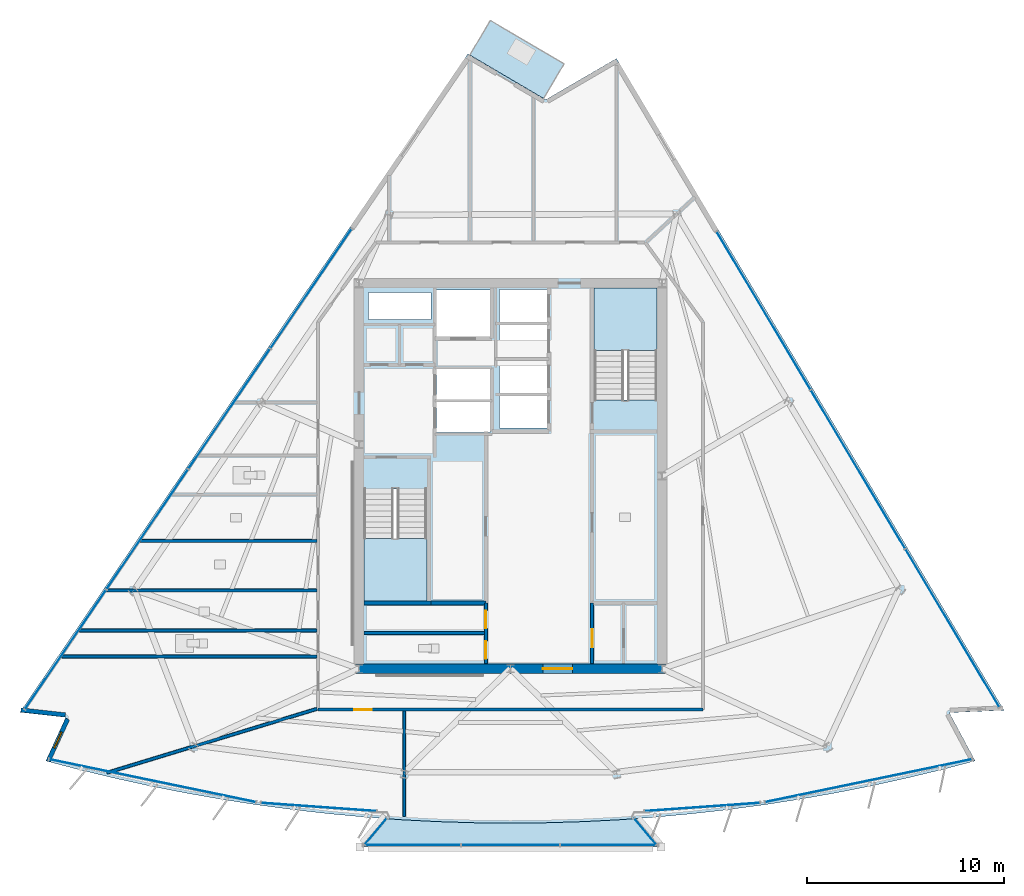
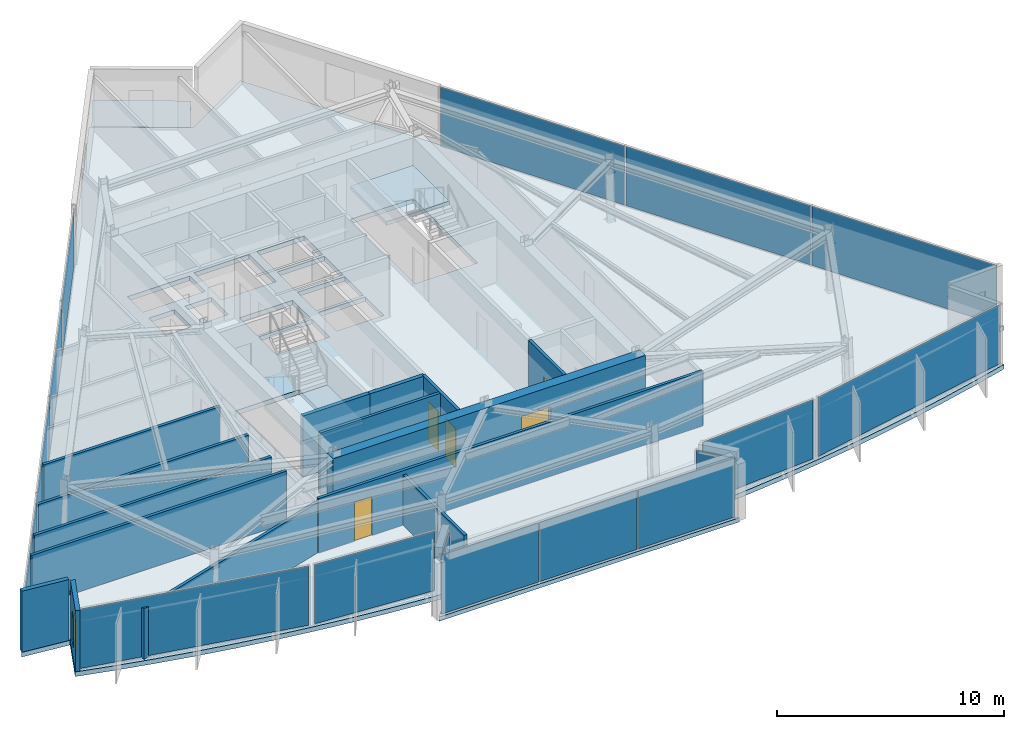
# One storey, part 7 of 14: 16 plates, 15 walls, 5 doors, 5 slabs, 1 window, 6 openings, 11 elements without a shape of their own.
"""IFC4 building model written with IfcOpenShell, lengths in metres."""

from ifc_helpers import new_model, si_unit, direction, frame, frame_2d, origin, origin_2d, place, context, subcontext, project, spatial, polyline, rectangle, outline, extrude, material, layer, layer_set, type_object, element, fill, aggregate, save


model = new_model("IFC4")

# Units and contexts
model_context = context("Model", 3, precision=1e-05, world=origin(), true_north=direction((0.0, 1.0)))
body_context = subcontext(model_context, "Body", "Model", "MODEL_VIEW")
ifc_project = project(units=[si_unit("LENGTHUNIT", "METRE"), si_unit("AREAUNIT", "SQUARE_METRE"), si_unit("VOLUMEUNIT", "CUBIC_METRE"), si_unit("PLANEANGLEUNIT", "RADIAN"), si_unit("MASSUNIT", "GRAM", prefix="KILO")], contexts=[model_context])

# Site, building, storey
site_placement = place(None, origin())
site = spatial("IfcSite", under=ifc_project, at=site_placement, CompositionType="ELEMENT")
building_placement = place(site_placement, origin())
building = spatial("IfcBuilding", under=site, at=building_placement, Name="Savorim Split Tower", CompositionType="ELEMENT")
storey_placement = place(building_placement, frame((0.0, 0.0, 237.89990234375)))
storey = spatial("IfcBuildingStorey", under=building, at=storey_placement, Name="L63", CompositionType="ELEMENT", Elevation=237.89990234375)

# Curtain wall, plate
ifc_material_1 = material(Name="Dark Ceramic-Fritted Insulated Glass", Category="glass")
curtain_wall_type_1 = type_object("IfcCurtainWallType", Name="CW-TWR-FRIT-B", PredefinedType="NOTDEFINED", material=ifc_material_1)
curtain_wall_1_placement = place(storey_placement, origin())
curtain_wall_1 = element("IfcCurtainWall", 1, at=curtain_wall_1_placement, inside=storey, type_object=curtain_wall_type_1, Name="L63 Curtain Wall CW-L63-SF1A", PredefinedType="NOTDEFINED")
ifc_layer_1 = layer(ifc_material_1, 0.02587890625)
ifc_layer_set_1 = layer_set([ifc_layer_1], Name="CWP-FRITB-26")
plate_type_1 = type_object("IfcPlateType", Name="CWP-FRITB-26", PredefinedType="CURTAIN_PANEL", material=ifc_layer_set_1)
plate_1_placement = place(storey_placement, frame((-18.205322265625, -15.09423828125, 0.05029296875), z_axis=(0.0, 0.0, 1.0), x_axis=(0.979134184169, -0.203214786352, 0.0)))
plate_1 = element("IfcPlate", 2, at=plate_1_placement, type_object=plate_type_1, Name="CW-03 panel 1.1", PredefinedType="CURTAIN_PANEL", context=body_context, shape_type="SweptSolid", body=[
    extrude(rectangle(XDim=10.70849609375, YDim=0.02587890625, at=origin_2d()), origin(), (0.0, 0.0, 1.0), 3.179931640625),
])
aggregate(curtain_wall_1, [plate_1])

curtain_wall_2_placement = place(storey_placement, origin())
curtain_wall_2 = element("IfcCurtainWall", 3, at=curtain_wall_2_placement, inside=storey, type_object=curtain_wall_type_1, Name="L63 Curtain Wall CW-L63-SF2A", PredefinedType="NOTDEFINED")
plate_2_placement = place(storey_placement, frame((-9.7470703125, -16.433349609375, 0.05029296875), z_axis=(0.0, 0.0, 1.0), x_axis=(0.997436443549, -0.071557956097, 0.0)))
plate_2 = element("IfcPlate", 4, at=plate_2_placement, type_object=plate_type_1, Name="CW-03 panel 1.1", PredefinedType="CURTAIN_PANEL", context=body_context, shape_type="SweptSolid", body=[
    extrude(rectangle(XDim=5.845703125, YDim=0.02587890625, at=origin_2d()), origin(), (0.0, 0.0, 1.0), 3.179931640625),
])
aggregate(curtain_wall_2, [plate_2])

curtain_wall_3_placement = place(storey_placement, origin())
curtain_wall_3 = element("IfcCurtainWall", 5, at=curtain_wall_3_placement, inside=storey, type_object=curtain_wall_type_1, Name="L63 Curtain Wall CW-L63-SF3A", PredefinedType="NOTDEFINED")
plate_3_placement = place(storey_placement, frame((9.7470703125, -16.433349609375, 0.05029296875), z_axis=(0.0, 0.0, 1.0), x_axis=(0.997436443549, 0.071557956097, 0.0)))
plate_3 = element("IfcPlate", 6, at=plate_3_placement, type_object=plate_type_1, Name="CW-03 panel 1.1", PredefinedType="CURTAIN_PANEL", context=body_context, shape_type="SweptSolid", body=[
    extrude(rectangle(XDim=5.845703125, YDim=0.02587890625, at=origin_2d()), origin(), (0.0, 0.0, 1.0), 3.179931640625),
])
aggregate(curtain_wall_3, [plate_3])

curtain_wall_4_placement = place(storey_placement, origin())
curtain_wall_4 = element("IfcCurtainWall", 7, at=curtain_wall_4_placement, inside=storey, type_object=curtain_wall_type_1, Name="L63 Curtain Wall CW-L63-SF4A", PredefinedType="NOTDEFINED")
plate_4_placement = place(storey_placement, frame((18.205322265625, -15.09423828125, 0.05029296875), z_axis=(0.0, 0.0, 1.0), x_axis=(0.979134184169, 0.203214786352, 0.0)))
plate_4 = element("IfcPlate", 8, at=plate_4_placement, type_object=plate_type_1, Name="CW-03 panel 1.1", PredefinedType="CURTAIN_PANEL", context=body_context, shape_type="SweptSolid", body=[
    extrude(rectangle(XDim=10.70849609375, YDim=0.02587890625, at=origin_2d()), origin(), (0.0, 0.0, 1.0), 3.179931640625),
])
aggregate(curtain_wall_4, [plate_4])

# Curtain wall, plates
curtain_wall_5_placement = place(storey_placement, origin())
curtain_wall_5 = element("IfcCurtainWall", 9, at=curtain_wall_5_placement, inside=storey, type_object=curtain_wall_type_1, Name="L63 Curtain Wall CW-L63-EAST", PredefinedType="NOTDEFINED")
plate_5_placement = place(storey_placement, frame((22.467041015625, -7.335205078125, 0.05029296875), z_axis=(0.0, 0.0, 1.0), x_axis=(-0.51109620442, 0.859523513249, 0.0)))
plate_5 = element("IfcPlate", 10, at=plate_5_placement, type_object=plate_type_1, Name="CW-03 panel 1.1", PredefinedType="CURTAIN_PANEL", context=body_context, shape_type="SweptSolid", body=[
    extrude(rectangle(XDim=9.3125, YDim=0.02587890625, at=origin_2d()), origin(), (0.0, 0.0, 1.0), 3.179931640625),
])
plate_6_placement = place(storey_placement, frame((17.669189453125, 0.733642578125, 0.05029296875), z_axis=(0.0, 0.0, 1.0), x_axis=(-0.51109620442, 0.859523513249, 0.0)))
plate_6 = element("IfcPlate", 11, at=plate_6_placement, type_object=plate_type_1, Name="CW-03 panel 2.1", PredefinedType="CURTAIN_PANEL", context=body_context, shape_type="SweptSolid", body=[
    extrude(rectangle(XDim=9.342529296875, YDim=0.02587890625, at=origin_2d()), origin(), (0.0, 0.0, 1.0), 3.179931640625),
])
plate_7_placement = place(storey_placement, frame((12.871337890625, 8.802490234375, 0.05029296875), z_axis=(0.0, 0.0, 1.0), x_axis=(-0.51109620442, 0.859523513249, 0.0)))
plate_7 = element("IfcPlate", 12, at=plate_7_placement, type_object=plate_type_1, Name="CW-03 panel 3.1", PredefinedType="CURTAIN_PANEL", context=body_context, shape_type="SweptSolid", body=[
    extrude(rectangle(XDim=9.3125, YDim=0.02587890625, at=origin_2d()), origin(), (0.0, 0.0, 1.0), 3.179931640625),
])
aggregate(curtain_wall_5, [plate_5, plate_6, plate_7])

curtain_wall_6_placement = place(storey_placement, origin())
curtain_wall_6 = element("IfcCurtainWall", 13, at=curtain_wall_6_placement, inside=storey, type_object=curtain_wall_type_1, Name="L63 Curtain Wall CW-L63-WEST", PredefinedType="NOTDEFINED")
plate_8_placement = place(storey_placement, frame((-10.14208984375, 9.923583984375, 0.05029296875), z_axis=(0.0, 0.0, 1.0), x_axis=(-0.562466573779, -0.826820024782, 0.0)))
plate_8 = element("IfcPlate", 14, at=plate_8_placement, type_object=plate_type_1, Name="CW-03 panel 1.1", PredefinedType="CURTAIN_PANEL", context=body_context, shape_type="SweptSolid", body=[
    extrude(rectangle(XDim=7.317626953125, YDim=0.02587890625, at=origin_2d()), origin(), (0.0, 0.0, 1.0), 3.179931640625),
])
plate_9_placement = place(storey_placement, frame((-14.300048828125, 3.811279296875, 0.05029296875), z_axis=(0.0, 0.0, 1.0), x_axis=(-0.562466573779, -0.826820024782, 0.0)))
plate_9 = element("IfcPlate", 15, at=plate_9_placement, type_object=plate_type_1, Name="CW-03 panel 2.1", PredefinedType="CURTAIN_PANEL", context=body_context, shape_type="SweptSolid", body=[
    extrude(rectangle(XDim=7.347412109375, YDim=0.02587890625, at=origin_2d()), origin(), (0.0, 0.0, 1.0), 3.179931640625),
])
plate_10_placement = place(storey_placement, frame((-18.466552734375, -2.313232421875, 0.05029296875), z_axis=(0.0, 0.0, 1.0), x_axis=(-0.562466573779, -0.826820024782, 0.0)))
plate_10 = element("IfcPlate", 16, at=plate_10_placement, type_object=plate_type_1, Name="CW-03 panel 3.1", PredefinedType="CURTAIN_PANEL", context=body_context, shape_type="SweptSolid", body=[
    extrude(rectangle(XDim=7.347412109375, YDim=0.02587890625, at=origin_2d()), origin(), (0.0, 0.0, 1.0), 3.179931640625),
])
plate_11_placement = place(storey_placement, frame((-22.62451171875, -8.425537109375, 0.05029296875), z_axis=(0.0, 0.0, 1.0), x_axis=(-0.562466573779, -0.826820024782, 0.0)))
plate_11 = element("IfcPlate", 17, at=plate_11_placement, type_object=plate_type_1, Name="CW-03 panel 4.1", PredefinedType="CURTAIN_PANEL", context=body_context, shape_type="SweptSolid", body=[
    extrude(rectangle(XDim=7.317626953125, YDim=0.02587890625, at=origin_2d()), origin(), (0.0, 0.0, 1.0), 3.179931640625),
])
aggregate(curtain_wall_6, [plate_8, plate_9, plate_10, plate_11])

curtain_wall_type_2 = type_object("IfcCurtainWallType", Name="CW-BAY-LOUNGE", PredefinedType="NOTDEFINED", material=ifc_material_1)
curtain_wall_7_placement = place(storey_placement, origin())
curtain_wall_7 = element("IfcCurtainWall", 18, at=curtain_wall_7_placement, inside=storey, type_object=curtain_wall_type_2, Name="L63 Curtain Wall CW-L63-BAYF", PredefinedType="NOTDEFINED")
ifc_material_2 = material(Name="Low-E Operable Double Glazing", Category="glass")
ifc_layer_2 = layer(ifc_material_2, 0.031982421875)
ifc_layer_set_2 = layer_set([ifc_layer_2], Name="CWP-POD-32")
plate_type_2 = type_object("IfcPlateType", Name="CWP-POD-32", PredefinedType="CURTAIN_PANEL", material=ifc_layer_set_2)
plate_12_placement = place(storey_placement, frame((-5.006591796875, -18.36767578125, 0.05517578125), z_axis=(0.0, 0.0, 1.0), x_axis=(1.0, 0.0, 0.0)))
plate_12 = element("IfcPlate", 19, at=plate_12_placement, type_object=plate_type_2, Name="CW-04 panel 1.1", PredefinedType="CURTAIN_PANEL", context=body_context, shape_type="SweptSolid", body=[
    extrude(rectangle(XDim=4.92529296875, YDim=0.031982421875, at=origin_2d()), origin(), (0.0, 0.0, 1.0), 3.169921875),
])
plate_13_placement = place(storey_placement, frame((0.0, -18.36767578125, 0.05517578125), z_axis=(0.0, 0.0, 1.0), x_axis=(1.0, 0.0, 0.0)))
plate_13 = element("IfcPlate", 20, at=plate_13_placement, type_object=plate_type_2, Name="CW-04 panel 2.1", PredefinedType="CURTAIN_PANEL", context=body_context, shape_type="SweptSolid", body=[
    extrude(rectangle(XDim=4.957763671875, YDim=0.031982421875, at=origin_2d()), origin(), (0.0, 0.0, 1.0), 3.169921875),
])
plate_14_placement = place(storey_placement, frame((5.006591796875, -18.36767578125, 0.05517578125), z_axis=(0.0, 0.0, 1.0), x_axis=(1.0, 0.0, 0.0)))
plate_14 = element("IfcPlate", 21, at=plate_14_placement, type_object=plate_type_2, Name="CW-04 panel 3.1", PredefinedType="CURTAIN_PANEL", context=body_context, shape_type="SweptSolid", body=[
    extrude(rectangle(XDim=4.92529296875, YDim=0.031982421875, at=origin_2d()), origin(), (0.0, 0.0, 1.0), 3.169921875),
])
aggregate(curtain_wall_7, [plate_12, plate_13, plate_14])

# Curtain wall, plate
curtain_wall_8_placement = place(storey_placement, origin())
curtain_wall_8 = element("IfcCurtainWall", 22, at=curtain_wall_8_placement, inside=storey, type_object=curtain_wall_type_2, Name="L63 Curtain Wall CW-L63-BAYW", PredefinedType="NOTDEFINED")
plate_15_placement = place(storey_placement, frame((-6.853759765625, -17.67431640625, 0.05517578125), z_axis=(0.0, 0.0, 1.0), x_axis=(-0.645006207741, -0.764177330189, 0.0)))
plate_15 = element("IfcPlate", 23, at=plate_15_placement, type_object=plate_type_2, Name="CW-04 panel 1.1", PredefinedType="CURTAIN_PANEL", context=body_context, shape_type="SweptSolid", body=[
    extrude(rectangle(XDim=1.705078125, YDim=0.031982421875, at=origin_2d()), origin(), (0.0, 0.0, 1.0), 3.169921875),
])
aggregate(curtain_wall_8, [plate_15])

curtain_wall_9_placement = place(storey_placement, origin())
curtain_wall_9 = element("IfcCurtainWall", 24, at=curtain_wall_9_placement, inside=storey, type_object=curtain_wall_type_2, Name="L63 Curtain Wall CW-L63-BAYE", PredefinedType="NOTDEFINED")
plate_16_placement = place(storey_placement, frame((6.853759765625, -17.67431640625, 0.05517578125), z_axis=(0.0, 0.0, 1.0), x_axis=(-0.645006207741, 0.764177330189, 0.0)))
plate_16 = element("IfcPlate", 25, at=plate_16_placement, type_object=plate_type_2, Name="CW-04 panel 1.1", PredefinedType="CURTAIN_PANEL", context=body_context, shape_type="SweptSolid", body=[
    extrude(rectangle(XDim=1.705078125, YDim=0.031982421875, at=origin_2d()), origin(), (0.0, 0.0, 1.0), 3.169921875),
])
aggregate(curtain_wall_9, [plate_16])

# Slabs
ifc_material_3 = material(Name="Concrete C50/60", Category="concrete")
ifc_layer_3 = layer(ifc_material_3, 0.219970703125)
ifc_layer_set_3 = layer_set([ifc_layer_3], Name="SLB-BAL-220")
slab_type_1 = type_object("IfcSlabType", Name="SLB-BAL-220", PredefinedType="FLOOR", material=ifc_layer_set_3)
slab_1_placement = place(storey_placement, frame((0.0, 0.0, -0.219970703125)))
element("IfcSlab", 26, at=slab_1_placement, inside=storey, type_object=slab_type_1, Name="L63 Cantilevered Shared Kitchen Lounge Slab", PredefinedType="FLOOR", context=body_context, shape_type="SweptSolid", body=[
    extrude(outline(polyline([(6.430419921875, -17.017822265625), (5.51416015625, -17.08349609375), (3.677490234375, -17.177490234375), (1.839111328125, -17.23388671875), (0.0, -17.252685546875), (-1.839111328125, -17.23388671875), (-3.677490234375, -17.177490234375), (-5.51416015625, -17.08349609375), (-6.430419921875, -17.017822265625), (-7.654052734375, -18.467529296875), (7.654052734375, -18.467529296875), (6.430419921875, -17.017822265625)])), origin(), (0.0, 0.0, 1.0), 0.219970703125),
])
slab_2_placement = place(storey_placement, frame((0.0, 0.0, -0.219970703125)))
element("IfcSlab", 27, at=slab_2_placement, inside=storey, type_object=slab_type_1, Name="L63 Notched Corner Planted Tree Balcony Slab", PredefinedType="FLOOR", context=body_context, shape_type="SweptSolid", body=[
    extrude(outline(polyline([(-2.064208984375, 21.799072265625), (1.687744140625, 19.59375), (2.72412109375, 21.356689453125), (-1.028076171875, 23.56201171875), (-2.064208984375, 21.799072265625)])), origin(), (0.0, 0.0, 1.0), 0.219970703125),
])

# Stair, slab
stair_type = type_object("IfcStairType", Name="STR-DOG-3600", PredefinedType="HALF_TURN_STAIR", material=ifc_material_3)
stair_1_placement = place(storey_placement, origin())
stair_1 = element("IfcStair", 28, at=stair_1_placement, inside=storey, type_object=stair_type, Name="L63 Core Protected Exit Stair ST-1", PredefinedType="HALF_TURN_STAIR")
ifc_layer_4 = layer(ifc_material_3, 0.199951171875)
ifc_layer_set_4 = layer_set([ifc_layer_4], Name="SLB-LND-200")
slab_type_2 = type_object("IfcSlabType", Name="SLB-LND-200", PredefinedType="LANDING", material=ifc_layer_set_4)
slab_3_placement = place(storey_placement, frame((0.0, 0.0, 1.60009765625)))
slab_3 = element("IfcSlab", 29, at=slab_3_placement, type_object=slab_type_2, Name="ST-1 landing 1", PredefinedType="LANDING", context=body_context, shape_type="SweptSolid", body=[
    extrude(outline(polyline([(-7.449951171875, -2.77001953125), (-7.449951171875, -5.949951171875), (-4.25, -5.949951171875), (-4.25, -2.77001953125), (-7.449951171875, -2.77001953125)])), origin(), (0.0, 0.0, 1.0), 0.199951171875),
])
aggregate(stair_1, [slab_3])

stair_2_placement = place(storey_placement, origin())
stair_2 = element("IfcStair", 30, at=stair_2_placement, inside=storey, type_object=stair_type, Name="L63 Core Protected Exit Stair ST-2", PredefinedType="HALF_TURN_STAIR")
slab_4_placement = place(storey_placement, frame((0.0, 0.0, 1.60009765625)))
slab_4 = element("IfcSlab", 31, at=slab_4_placement, type_object=slab_type_2, Name="ST-2 landing 1", PredefinedType="LANDING", context=body_context, shape_type="SweptSolid", body=[
    extrude(outline(polyline([(7.449951171875, 6.77001953125), (7.449951171875, 9.949951171875), (4.25, 9.949951171875), (4.25, 6.77001953125), (7.449951171875, 6.77001953125)])), origin(), (0.0, 0.0, 1.0), 0.199951171875),
])
aggregate(stair_2, [slab_4])

# Slab
ifc_layer_5 = layer(ifc_material_3, 0.25)
ifc_layer_set_5 = layer_set([ifc_layer_5], Name="SLB-TWR-250")
slab_type_3 = type_object("IfcSlabType", Name="SLB-TWR-250", PredefinedType="FLOOR", material=ifc_layer_set_5)
slab_5_placement = place(storey_placement, frame((0.0, 0.0, -0.25)))
element("IfcSlab", 32, at=slab_5_placement, inside=storey, type_object=slab_type_3, Name="L63 Structural Floor Slab", PredefinedType="FLOOR", context=body_context, shape_type="SweptSolid", body=[
    extrude(outline(polyline([(-23.62890625, -14.09130859375), (-21.849609375, -14.556396484375), (-20.06103515625, -14.9853515625), (-18.26416015625, -15.37744140625), (-16.45947265625, -15.73291015625), (-14.648193359375, -16.051025390625), (-12.83056640625, -16.332275390625), (-11.007568359375, -16.576171875), (-9.179931640625, -16.78271484375), (-7.3486328125, -16.951904296875), (-5.51416015625, -17.08349609375), (-3.677490234375, -17.177490234375), (-1.839111328125, -17.23388671875), (0.0, -17.252685546875), (1.839111328125, -17.23388671875), (3.677490234375, -17.177490234375), (5.51416015625, -17.08349609375), (7.3486328125, -16.951904296875), (9.179931640625, -16.78271484375), (11.007568359375, -16.576171875), (12.83056640625, -16.332275390625), (14.648193359375, -16.051025390625), (16.45947265625, -15.73291015625), (18.26416015625, -15.37744140625), (20.06103515625, -14.9853515625), (21.849609375, -14.556396484375), (23.62890625, -14.09130859375), (22.310791015625, -11.635009765625), (25.09326171875, -11.5166015625), (5.38623046875, 21.625244140625), (1.788818359375, 19.528564453125), (-2.17041015625, 21.85546875), (-24.939208984375, -11.61474609375), (-22.6103515625, -11.874755859375), (-23.62890625, -14.09130859375)]), holes=[polyline([(-7.449951171875, -0.25390625), (-7.449951171875, -5.949951171875), (-4.25, -5.949951171875), (-4.25, -0.25390625), (-7.449951171875, -0.25390625)]), polyline([(7.449951171875, 4.25390625), (7.449951171875, 9.949951171875), (4.25, 9.949951171875), (4.25, 4.25390625), (7.449951171875, 4.25390625)]), polyline([(-0.550048828125, 2.830078125), (1.85009765625, 2.830078125), (1.85009765625, 4.469970703125), (-0.550048828125, 4.469970703125), (-0.550048828125, 2.830078125)]), polyline([(-0.550048828125, 4.6298828125), (1.85009765625, 4.6298828125), (1.85009765625, 6.27001953125), (-0.550048828125, 6.27001953125), (-0.550048828125, 4.6298828125)]), polyline([(-0.550048828125, 6.429931640625), (1.85009765625, 6.429931640625), (1.85009765625, 8.070068359375), (-0.550048828125, 8.070068359375), (-0.550048828125, 6.429931640625)]), polyline([(-0.550048828125, 8.22998046875), (1.85009765625, 8.22998046875), (1.85009765625, 9.8701171875), (-0.550048828125, 9.8701171875), (-0.550048828125, 8.22998046875)]), polyline([(-3.75, 2.60009765625), (-1.050048828125, 2.60009765625), (-1.050048828125, 4.159912109375), (-3.75, 4.159912109375), (-3.75, 2.60009765625)]), polyline([(-3.75, 4.280029296875), (-1.050048828125, 4.280029296875), (-1.050048828125, 5.840087890625), (-3.75, 5.840087890625), (-3.75, 4.280029296875)]), polyline([(-3.75, 7.449951171875), (-0.949951171875, 7.449951171875), (-0.949951171875, 9.85009765625), (-3.75, 9.85009765625), (-3.75, 7.449951171875)]), polyline([(-7.219970703125, 6.320068359375), (-5.919921875, 6.320068359375), (-5.919921875, 7.820068359375), (-7.219970703125, 7.820068359375), (-7.219970703125, 6.320068359375)]), polyline([(-5.3798828125, 6.320068359375), (-4.050048828125, 6.320068359375), (-4.050048828125, 7.820068359375), (-5.3798828125, 7.820068359375), (-5.3798828125, 6.320068359375)]), polyline([(-7.219970703125, 8.360107421875), (-4.050048828125, 8.360107421875), (-4.050048828125, 9.719970703125), (-7.219970703125, 9.719970703125), (-7.219970703125, 8.360107421875)])]), origin(), (0.0, 0.0, 1.0), 0.25),
])

# Wall, opening, door
ifc_material_4 = material(Name="Concrete C60/75", Category="concrete")
ifc_layer_6 = layer(ifc_material_4, 0.5)
ifc_layer_set_6 = layer_set([ifc_layer_6], Name="WAL-COR-SH500")
wall_type_1 = type_object("IfcWallType", Name="WAL-COR-SH500", PredefinedType="SHEAR", material=ifc_layer_set_6)
wall_1_placement = place(storey_placement, frame((-7.949951171875, -9.39990234375, 0.0), z_axis=(0.0, 0.0, 1.0), x_axis=(1.0, 0.0, 0.0)))
wall_1 = element("IfcWall", 33, at=wall_1_placement, inside=storey, type_object=wall_type_1, Name="L63 Offset Core South Shear Wall", PredefinedType="SHEAR", context=body_context, shape_type="SweptSolid", body=[
    extrude(rectangle(XDim=15.89990234375, YDim=0.5, at=frame_2d((7.949951171875, 0.0))), origin(), (0.0, 0.0, 1.0), 3.280029296875),
])
opening_1_placement = place(wall_1_placement, frame((9.60009765625, 0.0, 0.0)))
opening_1 = element("IfcOpeningElement", 34, at=opening_1_placement, cuts=wall_1, Name="Opening DI-02", PredefinedType="OPENING", context=body_context, shape_type="SweptSolid", body=[
    extrude(rectangle(XDim=1.5, YDim=2.199951171875, at=frame_2d((0.75, 1.10009765625))), frame((0.0, 0.260009765625, 0.0), z_axis=(0.0, -1.0, 0.0), x_axis=(1.0, 0.0, 0.0)), (0.0, 0.0, 1.0), 0.52001953125),
])
ifc_material_5 = material(Name="Timber Fire Door Leaf", Category="wood")
door_type_1 = type_object("IfcDoorType", Name="DOR-DBL-1500", OperationType="NOTDEFINED", PredefinedType="DOOR", material=ifc_material_5)
door_1_placement = place(opening_1_placement, origin())
door_1 = element("IfcDoor", 35, at=door_1_placement, inside=storey, type_object=door_type_1, Name="DOR-L63-COR-LLOB - L63 Lift Lobby Main Rated Door", OperationType="DOUBLE_DOOR_SINGLE_SWING", OverallHeight=2.199951171875, OverallWidth=1.5, PredefinedType="DOOR", context=body_context, shape_type="SweptSolid", body=[
    extrude(rectangle(XDim=1.5, YDim=2.199951171875, at=frame_2d((0.75, 1.10009765625))), frame((0.0, 0.02490234375, 0.0), z_axis=(0.0, -1.0, 0.0), x_axis=(1.0, 0.0, 0.0)), (0.0, 0.0, 1.0), 0.050048828125),
])
fill(opening_1, door_1)

# Wall
ifc_material_6 = material(Name="Precast concrete C40/50", Category="concrete")
ifc_layer_7 = layer(ifc_material_6, 0.219970703125)
ifc_layer_set_7 = layer_set([ifc_layer_7], Name="WAL-EXT-CRN220")
wall_type_2 = type_object("IfcWallType", Name="WAL-EXT-CRN220", PredefinedType="SOLIDWALL", material=ifc_layer_set_7)
wall_2_placement = place(storey_placement, frame((-22.63671875, -11.751220703125, 0.0), z_axis=(0.0, 0.0, 1.0), x_axis=(-0.993821756753, 0.110987908368, 0.0)))
element("IfcWall", 36, at=wall_2_placement, inside=storey, type_object=wall_type_2, Name="L63 Notched Corner Facade Wall SW1", PredefinedType="SOLIDWALL", context=body_context, shape_type="SweptSolid", body=[
    extrude(rectangle(XDim=2.263427734375, YDim=0.219970703125, at=frame_2d((1.1318359375, 0.0))), origin(), (0.0, 0.0, 1.0), 3.280029296875),
])

# Wall, opening, window
wall_3_placement = place(storey_placement, frame((-23.503173828125, -14.10498046875, 0.0), z_axis=(0.0, 0.0, 1.0), x_axis=(0.417541737863, 0.908657744777, 0.0)))
wall_3 = element("IfcWall", 37, at=wall_3_placement, inside=storey, type_object=wall_type_2, Name="L63 Notched Corner Facade Wall SW", PredefinedType="SOLIDWALL", context=body_context, shape_type="SweptSolid", body=[
    extrude(rectangle(XDim=2.359375, YDim=0.219970703125, at=frame_2d((1.1796875, 0.0))), origin(), (0.0, 0.0, 1.0), 3.280029296875),
])
opening_2_placement = place(wall_3_placement, frame((0.7294921875, 0.0, 0.6201171875)))
opening_2 = element("IfcOpeningElement", 38, at=opening_2_placement, cuts=wall_3, Name="Opening WN-10", PredefinedType="OPENING", context=body_context, shape_type="SweptSolid", body=[
    extrude(rectangle(XDim=0.89990234375, YDim=1.60009765625, at=frame_2d((0.449951171875, 0.800048828125))), frame((0.0, 0.119873046875, 0.0), z_axis=(0.0, -1.0, 0.0), x_axis=(1.0, 0.0, 0.0)), (0.0, 0.0, 1.0), 0.239990234375),
])
window_type = type_object("IfcWindowType", Name="WIN-TWR-900x1600", PartitioningType="SINGLE_PANEL", PredefinedType="WINDOW", material=ifc_material_2)
window_placement = place(opening_2_placement, origin())
window = element("IfcWindow", 39, at=window_placement, inside=storey, type_object=window_type, Name="L63 Operable Corner Window SW", OverallHeight=1.60009765625, OverallWidth=0.89990234375, PartitioningType="SINGLE_PANEL", PredefinedType="WINDOW", context=body_context, shape_type="SweptSolid", body=[
    extrude(rectangle(XDim=0.89990234375, YDim=1.60009765625, at=frame_2d((0.449951171875, 0.800048828125))), frame((0.0, 0.030029296875, 0.0), z_axis=(0.0, -1.0, 0.0), x_axis=(1.0, 0.0, 0.0)), (0.0, 0.0, 1.0), 0.06005859375),
])
fill(opening_2, window)

# Walls
ifc_layer_8 = layer(ifc_material_3, 0.199951171875)
ifc_layer_set_8 = layer_set([ifc_layer_8], Name="WAL-INT-RC200")
wall_type_3 = type_object("IfcWallType", Name="WAL-INT-RC200", PredefinedType="SOLIDWALL", material=ifc_layer_set_8)
wall_4_placement = place(storey_placement, frame((-7.449951171875, -6.050048828125, 0.0), z_axis=(0.0, 0.0, 1.0), x_axis=(1.0, 0.0, 0.0)))
element("IfcWall", 40, at=wall_4_placement, inside=storey, type_object=wall_type_3, Name="L63 Structural Shaft Wall W-L63-KSEP-W", PredefinedType="SOLIDWALL", context=body_context, shape_type="SweptSolid", body=[
    extrude(rectangle(XDim=3.39990234375, YDim=0.199951171875, at=frame_2d((1.699951171875, 0.0))), origin(), (0.0, 0.0, 1.0), 3.280029296875),
])
wall_5_placement = place(storey_placement, frame((-4.0400390625, -6.050048828125, 0.0), z_axis=(0.0, 0.0, 1.0), x_axis=(1.0, 0.0, 0.0)))
element("IfcWall", 41, at=wall_5_placement, inside=storey, type_object=wall_type_3, Name="L63 Partition W-L63-KSEP-W2", PredefinedType="SOLIDWALL", context=body_context, shape_type="SweptSolid", body=[
    extrude(rectangle(XDim=2.7900390625, YDim=0.199951171875, at=frame_2d((1.39501953125, 0.0))), origin(), (0.0, 0.0, 1.0), 3.280029296875),
])

# Wall, openings, doors
ifc_material_7 = material(Name="Acoustic Gypsum Partition Board")
ifc_layer_9 = layer(ifc_material_7, 0.14990234375)
ifc_layer_set_9 = layer_set([ifc_layer_9], Name="WAL-PAR-150")
wall_type_4 = type_object("IfcWallType", Name="WAL-PAR-150", PredefinedType="PARTITIONING", material=ifc_layer_set_9)
wall_6_placement = place(storey_placement, frame((-1.25, -9.14501953125, 0.0), z_axis=(0.0, 0.0, 1.0), x_axis=(0.0, 1.0, 0.0)))
wall_6 = element("IfcWall", 42, at=wall_6_placement, inside=storey, type_object=wall_type_4, Name="L63 Partition W-L63-KLOB-W", PredefinedType="PARTITIONING", context=body_context, shape_type="SweptSolid", body=[
    extrude(rectangle(XDim=3.094970703125, YDim=0.14990234375, at=frame_2d((1.54736328125, 0.0))), origin(), (0.0, 0.0, 1.0), 3.280029296875),
])
opening_3_placement = place(wall_6_placement, frame((1.794921875, 0.0, 0.0)))
opening_3 = element("IfcOpeningElement", 43, at=opening_3_placement, cuts=wall_6, Name="Opening DI-06", PredefinedType="OPENING", context=body_context, shape_type="SweptSolid", body=[
    extrude(rectangle(XDim=0.89990234375, YDim=2.10009765625, at=frame_2d((0.449951171875, 1.050048828125))), frame((0.0, 0.0849609375, 0.0), z_axis=(0.0, -1.0, 0.0), x_axis=(1.0, 0.0, 0.0)), (0.0, 0.0, 1.0), 0.169921875),
])
opening_4_placement = place(wall_6_placement, frame((0.2451171875, 0.0, 0.0)))
opening_4 = element("IfcOpeningElement", 44, at=opening_4_placement, cuts=wall_6, Name="Opening DI-11", PredefinedType="OPENING", context=body_context, shape_type="SweptSolid", body=[
    extrude(rectangle(XDim=0.89990234375, YDim=2.10009765625, at=frame_2d((0.449951171875, 1.050048828125))), frame((0.0, 0.0849609375, 0.0), z_axis=(0.0, -1.0, 0.0), x_axis=(1.0, 0.0, 0.0)), (0.0, 0.0, 1.0), 0.169921875),
])
door_type_2 = type_object("IfcDoorType", Name="DOR-FIR-900", OperationType="NOTDEFINED", PredefinedType="DOOR", material=ifc_material_5)
door_2_placement = place(opening_3_placement, origin())
door_2 = element("IfcDoor", 45, at=door_2_placement, inside=storey, type_object=door_type_2, Name="DR-L63-K2CLN - L63 Cleaning Store Door", OperationType="SINGLE_SWING_LEFT", OverallHeight=2.10009765625, OverallWidth=0.89990234375, PredefinedType="DOOR", context=body_context, shape_type="SweptSolid", body=[
    extrude(rectangle(XDim=0.89990234375, YDim=2.10009765625, at=frame_2d((0.449951171875, 1.050048828125))), frame((0.0, 0.02490234375, 0.0), z_axis=(0.0, -1.0, 0.0), x_axis=(1.0, 0.0, 0.0)), (0.0, 0.0, 1.0), 0.050048828125),
])
fill(opening_3, door_2)
ifc_material_8 = material(Name="Oak Veneer Acoustic Door")
door_type_3 = type_object("IfcDoorType", Name="DOR-WC-900", OperationType="NOTDEFINED", PredefinedType="DOOR", material=ifc_material_8)
door_3_placement = place(opening_4_placement, origin())
door_3 = element("IfcDoor", 46, at=door_3_placement, inside=storey, type_object=door_type_3, Name="DR-L63-K2WC - L63 Core WC Door", OperationType="SINGLE_SWING_RIGHT", OverallHeight=2.10009765625, OverallWidth=0.89990234375, PredefinedType="DOOR", context=body_context, shape_type="SweptSolid", body=[
    extrude(rectangle(XDim=0.89990234375, YDim=2.10009765625, at=frame_2d((0.449951171875, 1.050048828125))), frame((0.0, 0.02490234375, 0.0), z_axis=(0.0, -1.0, 0.0), x_axis=(1.0, 0.0, 0.0)), (0.0, 0.0, 1.0), 0.050048828125),
])
fill(opening_4, door_3)

# Wall, opening, door
wall_7_placement = place(storey_placement, frame((4.14990234375, -9.14501953125, 0.0), z_axis=(0.0, 0.0, 1.0), x_axis=(0.0, 1.0, 0.0)))
wall_7 = element("IfcWall", 47, at=wall_7_placement, inside=storey, type_object=wall_type_4, Name="L63 Partition W-L63-KLOB-E", PredefinedType="PARTITIONING", context=body_context, shape_type="SweptSolid", body=[
    extrude(rectangle(XDim=3.094970703125, YDim=0.14990234375, at=frame_2d((1.54736328125, 0.0))), origin(), (0.0, 0.0, 1.0), 3.280029296875),
])
opening_5_placement = place(wall_7_placement, frame((0.844970703125, 0.0, 0.0)))
opening_5 = element("IfcOpeningElement", 48, at=opening_5_placement, cuts=wall_7, Name="Opening DI-06", PredefinedType="OPENING", context=body_context, shape_type="SweptSolid", body=[
    extrude(rectangle(XDim=0.89990234375, YDim=2.10009765625, at=frame_2d((0.449951171875, 1.050048828125))), frame((0.0, 0.0849609375, 0.0), z_axis=(0.0, -1.0, 0.0), x_axis=(1.0, 0.0, 0.0)), (0.0, 0.0, 1.0), 0.169921875),
])
door_4_placement = place(opening_5_placement, origin())
door_4 = element("IfcDoor", 49, at=door_4_placement, inside=storey, type_object=door_type_2, Name="DR-L63-K2PAN - L63 Vending Pantry Door", OperationType="SINGLE_SWING_LEFT", OverallHeight=2.10009765625, OverallWidth=0.89990234375, PredefinedType="DOOR", context=body_context, shape_type="SweptSolid", body=[
    extrude(rectangle(XDim=0.89990234375, YDim=2.10009765625, at=frame_2d((0.449951171875, 1.050048828125))), frame((0.0, 0.02490234375, 0.0), z_axis=(0.0, -1.0, 0.0), x_axis=(1.0, 0.0, 0.0)), (0.0, 0.0, 1.0), 0.050048828125),
])
fill(opening_5, door_4)

# Wall
wall_8_placement = place(storey_placement, frame((-7.445068359375, -7.580078125, 0.0), z_axis=(0.0, 0.0, 1.0), x_axis=(1.0, 0.0, 0.0)))
element("IfcWall", 50, at=wall_8_placement, inside=storey, type_object=wall_type_4, Name="L63 Partition W-L63-K2H", PredefinedType="PARTITIONING", context=body_context, shape_type="SweptSolid", body=[
    extrude(rectangle(XDim=6.195068359375, YDim=0.14990234375, at=frame_2d((3.09765625, 0.0))), origin(), (0.0, 0.0, 1.0), 3.280029296875),
])

# Wall, opening, door
wall_9_placement = place(storey_placement, frame((9.780029296875, -11.47998046875, 0.0), z_axis=(0.0, 0.0, 1.0), x_axis=(-1.0, 0.0, 0.0)))
wall_9 = element("IfcWall", 51, at=wall_9_placement, inside=storey, type_object=wall_type_4, Name="L63 Partition W-L63-COR-06", PredefinedType="PARTITIONING", context=body_context, shape_type="SweptSolid", body=[
    extrude(rectangle(XDim=19.56005859375, YDim=0.14990234375, at=frame_2d((9.780029296875, 0.0))), origin(), (0.0, 0.0, 1.0), 2.93505859375),
])
opening_6_placement = place(wall_9_placement, frame((16.831298828125, 0.0, 0.0)))
opening_6 = element("IfcOpeningElement", 52, at=opening_6_placement, cuts=wall_9, Name="Opening DI-06", PredefinedType="OPENING", context=body_context, shape_type="SweptSolid", body=[
    extrude(rectangle(XDim=0.89990234375, YDim=2.10009765625, at=frame_2d((0.449951171875, 1.050048828125))), frame((0.0, 0.0849609375, 0.0), z_axis=(0.0, -1.0, 0.0), x_axis=(1.0, 0.0, 0.0)), (0.0, 0.0, 1.0), 0.169921875),
])
door_5_placement = place(opening_6_placement, origin())
door_5 = element("IfcDoor", 53, at=door_5_placement, inside=storey, type_object=door_type_2, Name="DR-L63-RM06 - L63 Communal Lounge Entry Door", OperationType="SINGLE_SWING_LEFT", OverallHeight=2.10009765625, OverallWidth=0.89990234375, PredefinedType="DOOR", context=body_context, shape_type="SweptSolid", body=[
    extrude(rectangle(XDim=0.89990234375, YDim=2.10009765625, at=frame_2d((0.449951171875, 1.050048828125))), frame((0.0, 0.02490234375, 0.0), z_axis=(0.0, -1.0, 0.0), x_axis=(1.0, 0.0, 0.0)), (0.0, 0.0, 1.0), 0.050048828125),
])
fill(opening_6, door_5)

# Walls
wall_10_placement = place(storey_placement, frame((-9.833984375, -11.440673828125, 0.0), z_axis=(0.0, 0.0, 1.0), x_axis=(-0.956642939797, -0.291263258474, 0.0)))
element("IfcWall", 54, at=wall_10_placement, inside=storey, type_object=wall_type_4, Name="L63 Partition W-L63-PRAD01", PredefinedType="PARTITIONING", context=body_context, shape_type="SweptSolid", body=[
    extrude(rectangle(XDim=11.1826171875, YDim=0.14990234375, at=frame_2d((5.59130859375, 0.0))), origin(), (0.0, 0.0, 1.0), 2.705078125),
])
wall_11_placement = place(storey_placement, frame((-5.40087890625, -11.5400390625, 0.0), z_axis=(0.0, 0.0, 1.0), x_axis=(0.0, -1.0, 0.0)))
element("IfcWall", 55, at=wall_11_placement, inside=storey, type_object=wall_type_4, Name="L63 Partition W-L63-PRAD02", PredefinedType="PARTITIONING", context=body_context, shape_type="SweptSolid", body=[
    extrude(rectangle(XDim=5.379150390625, YDim=0.14990234375, at=frame_2d((2.689453125, 0.0))), origin(), (0.0, 0.0, 1.0), 2.705078125),
])
wall_12_placement = place(storey_placement, frame((-9.840087890625, -5.41845703125, 0.0), z_axis=(0.0, 0.0, 1.0), x_axis=(-1.0, 0.0, 0.0)))
element("IfcWall", 56, at=wall_12_placement, inside=storey, type_object=wall_type_4, Name="L63 Partition W-L63-PRAD10", PredefinedType="PARTITIONING", context=body_context, shape_type="SweptSolid", body=[
    extrude(rectangle(XDim=10.678466796875, YDim=0.14990234375, at=frame_2d((5.33935546875, 0.0))), origin(), (0.0, 0.0, 1.0), 2.705078125),
])
wall_13_placement = place(storey_placement, frame((-9.840087890625, -8.781494140625, 0.0), z_axis=(0.0, 0.0, 1.0), x_axis=(-1.0, 0.0, 0.0)))
element("IfcWall", 57, at=wall_13_placement, inside=storey, type_object=wall_type_4, Name="L63 Partition W-L63-SUB02", PredefinedType="PARTITIONING", context=body_context, shape_type="SweptSolid", body=[
    extrude(rectangle(XDim=12.96630859375, YDim=0.14990234375, at=frame_2d((6.483154296875, 0.0))), origin(), (0.0, 0.0, 1.0), 2.80517578125),
])
wall_14_placement = place(storey_placement, frame((-9.840087890625, -2.900146484375, 0.0), z_axis=(0.0, 0.0, 1.0), x_axis=(-1.0, 0.0, 0.0)))
element("IfcWall", 58, at=wall_14_placement, inside=storey, type_object=wall_type_4, Name="L63 Partition W-L63-SUB04", PredefinedType="PARTITIONING", context=body_context, shape_type="SweptSolid", body=[
    extrude(rectangle(XDim=8.96533203125, YDim=0.14990234375, at=frame_2d((4.482666015625, 0.0))), origin(), (0.0, 0.0, 1.0), 2.705078125),
])
wall_15_placement = place(storey_placement, frame((-9.840087890625, -7.453369140625, 0.0), z_axis=(0.0, 0.0, 1.0), x_axis=(-1.0, 0.0, 0.0)))
element("IfcWall", 59, at=wall_15_placement, inside=storey, type_object=wall_type_4, Name="L63 Partition W-L63-SUB05", PredefinedType="PARTITIONING", context=body_context, shape_type="SweptSolid", body=[
    extrude(rectangle(XDim=12.062744140625, YDim=0.14990234375, at=frame_2d((6.03125, 0.0))), origin(), (0.0, 0.0, 1.0), 2.755126953125),
])

save(model, "model.ifc")
